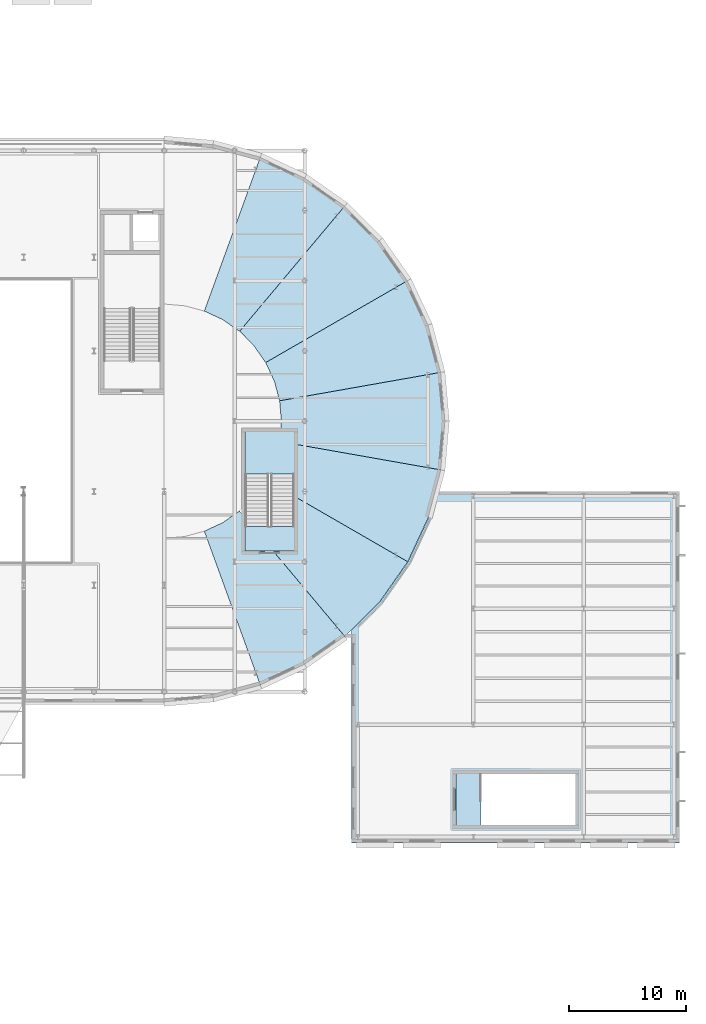
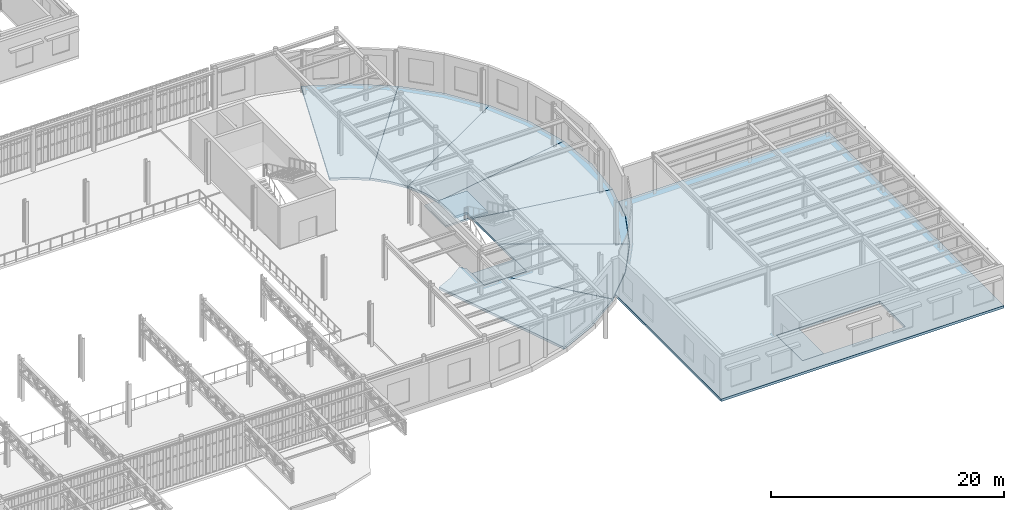
# One storey, part 60 of 91: 11 slabs, 1 element without a shape of its own.
"""IFC4 building model written with IfcOpenShell, lengths in metres."""

from ifc_helpers import new_model, si_unit, direction, frame, origin, place, context, subcontext, project, spatial, polyline, outline, extrude, material, layer, layer_set, type_object, element, aggregate, save


model = new_model("IFC4")

# Units and contexts
model_context = context("Model", 3, precision=1e-05, world=origin(), true_north=direction((0.0, 1.0)))
body_context = subcontext(model_context, "Body", "Model", "MODEL_VIEW")
ifc_project = project(units=[si_unit("LENGTHUNIT", "METRE"), si_unit("AREAUNIT", "SQUARE_METRE"), si_unit("VOLUMEUNIT", "CUBIC_METRE"), si_unit("PLANEANGLEUNIT", "RADIAN"), si_unit("MASSUNIT", "GRAM", prefix="KILO")], contexts=[model_context])

# Site, building, storey
site_placement = place(None, origin())
site = spatial("IfcSite", under=ifc_project, at=site_placement, CompositionType="ELEMENT")
building_placement = place(site_placement, origin())
building = spatial("IfcBuilding", under=site, at=building_placement, Name="Kolvaren Corner Interchange", CompositionType="ELEMENT")
storey_placement = place(building_placement, frame((0.0, 0.0, 6.0)))
storey = spatial("IfcBuildingStorey", under=building, at=storey_placement, Name="L02", CompositionType="ELEMENT", Elevation=6.0)

# Slabs
ifc_material_1 = material(Name="Concrete C35/45", Category="concrete")
ifc_layer_1 = layer(ifc_material_1, 0.25)
ifc_layer_set_1 = layer_set([ifc_layer_1], Name="Concrete C35/45")
slab_type_1 = type_object("IfcSlabType", Name="SL-COMP-250", PredefinedType="FLOOR", material=ifc_layer_set_1)
slab_1_placement = place(storey_placement, frame((0.0, 0.0, -0.25)))
element("IfcSlab", 1, at=slab_1_placement, inside=storey, type_object=slab_type_1, Name="Level 02 Racetrack East Gallery Radial Slab 02", PredefinedType="FLOOR", context=body_context, shape_type="SweptSolid", body=[
    extrude(outline(polyline([(126.890625, 39.7880859375), (126.451416015625, 40.3115234375), (126.408447265625, 40.32373046875), (125.0, 39.339599609375), (123.453369140625, 38.61865234375), (123.430419921875, 38.580078125), (128.193603515625, 25.48828125), (128.23291015625, 25.462158203125), (132.0, 27.215576171875), (135.39111328125, 29.58984375), (135.407958984375, 29.627197265625), (129.320556640625, 36.89111328125), (126.89990234375, 36.89990234375), (126.890625, 39.7880859375)])), origin(), (0.0, 0.0, 1.0), 0.25),
])
slab_2_placement = place(storey_placement, frame((0.0, 0.0, -0.25)))
element("IfcSlab", 2, at=slab_2_placement, inside=storey, type_object=slab_type_1, Name="Level 02 Racetrack East Gallery Radial Slab 03", PredefinedType="FLOOR", context=body_context, shape_type="SweptSolid", body=[
    extrude(outline(polyline([(129.31396484375, 36.89990234375), (135.427001953125, 29.614990234375), (138.385009765625, 32.572998046875), (140.78466796875, 36.0), (131.10009765625, 41.59130859375), (131.10009765625, 36.89990234375), (129.31396484375, 36.89990234375)])), origin(), (0.0, 0.0, 1.0), 0.25),
])
slab_3_placement = place(storey_placement, frame((0.0, 0.0, -0.25)))
element("IfcSlab", 3, at=slab_3_placement, inside=storey, type_object=slab_type_1, Name="Level 02 Racetrack East Gallery Radial Slab 04", PredefinedType="FLOOR", context=body_context, shape_type="SweptSolid", body=[
    extrude(outline(polyline([(143.635498046875, 43.83251953125), (131.10009765625, 46.042724609375), (131.10009765625, 41.59130859375), (140.78466796875, 36.0), (142.552490234375, 39.79150390625), (143.635498046875, 43.83251953125)])), origin(), (0.0, 0.0, 1.0), 0.25),
])
slab_4_placement = place(storey_placement, frame((0.0, 0.0, -0.25)))
element("IfcSlab", 4, at=slab_4_placement, inside=storey, type_object=slab_type_1, Name="Level 02 Racetrack East Gallery Radial Slab 05", PredefinedType="FLOOR", context=body_context, shape_type="SweptSolid", body=[
    extrude(outline(polyline([(143.635498046875, 52.16748046875), (129.84814453125, 49.736572265625), (130.0, 48.0), (129.92138671875, 47.10009765625), (131.10009765625, 47.10009765625), (131.10009765625, 46.042724609375), (143.635498046875, 43.83251953125), (144.0, 48.0), (143.635498046875, 52.16748046875)])), origin(), (0.0, 0.0, 1.0), 0.25),
])
slab_5_placement = place(storey_placement, frame((0.0, 0.0, -0.25)))
element("IfcSlab", 5, at=slab_5_placement, inside=storey, type_object=slab_type_1, Name="Level 02 Racetrack East Gallery Radial Slab 06", PredefinedType="FLOOR", context=body_context, shape_type="SweptSolid", body=[
    extrude(outline(polyline([(129.397216796875, 51.41943359375), (129.838623046875, 49.77197265625), (129.88037109375, 49.742431640625), (143.610107421875, 52.16796875), (143.6240234375, 52.209716796875), (142.552490234375, 56.20849609375), (140.799072265625, 59.967041015625), (140.746826171875, 59.978271484375), (128.688720703125, 53.01611328125), (128.67578125, 52.966796875), (129.397216796875, 51.41943359375)])), origin(), (0.0, 0.0, 1.0), 0.25),
])
slab_6_placement = place(storey_placement, frame((0.0, 0.0, -0.25)))
element("IfcSlab", 6, at=slab_6_placement, inside=storey, type_object=slab_type_1, Name="Level 02 Racetrack East Gallery Radial Slab 07", PredefinedType="FLOOR", context=body_context, shape_type="SweptSolid", body=[
    extrude(outline(polyline([(138.385009765625, 63.4267578125), (135.457763671875, 66.354248046875), (135.418212890625, 66.3642578125), (126.451416015625, 55.6884765625), (127.660400390625, 54.427978515625), (128.639404296875, 53.030029296875), (128.684814453125, 53.01513671875), (140.746826171875, 59.978271484375), (138.385009765625, 63.4267578125)])), origin(), (0.0, 0.0, 1.0), 0.25),
])
slab_7_placement = place(storey_placement, frame((0.0, 0.0, -0.25)))
element("IfcSlab", 7, at=slab_7_placement, inside=storey, type_object=slab_type_1, Name="Level 02 Racetrack East Gallery Radial Slab 08", PredefinedType="FLOOR", context=body_context, shape_type="SweptSolid", body=[
    extrude(outline(polyline([(126.451416015625, 55.6884765625), (135.407958984375, 66.372802734375), (135.39111328125, 66.41015625), (132.0, 68.784423828125), (128.23681640625, 70.53759765625), (128.193603515625, 70.51171875), (123.430908203125, 57.423583984375), (123.453369140625, 57.38134765625), (125.0, 56.660400390625), (126.397705078125, 55.681396484375), (126.451416015625, 55.6884765625)])), origin(), (0.0, 0.0, 1.0), 0.25),
])
ifc_material_2 = material(Name="Concrete C35/45", Category="concrete")
ifc_layer_2 = layer(ifc_material_2, 0.260009765625)
ifc_layer_set_2 = layer_set([ifc_layer_2], Name="Concrete C35/45")
slab_type_2 = type_object("IfcSlabType", Name="SL-COMP-260", PredefinedType="FLOOR", material=ifc_layer_set_2)
slab_8_placement = place(storey_placement, frame((0.0, 0.0, -0.260009765625)))
element("IfcSlab", 8, at=slab_8_placement, inside=storey, type_object=slab_type_2, Name="Level 02 Bus Dispatch Lounge Floor Slab", PredefinedType="FLOOR", context=body_context, shape_type="SweptSolid", body=[
    extrude(outline(polyline([(136.0, 30.159912109375), (136.0, 12.0), (164.0, 12.0), (164.0, 42.0), (143.1650390625, 42.0), (142.5712890625, 39.78466796875), (140.802001953125, 35.989990234375), (138.400390625, 32.560302734375), (136.0, 30.159912109375)]), holes=[polyline([(144.89990234375, 17.89990234375), (155.10009765625, 17.89990234375), (155.10009765625, 13.5), (144.89990234375, 13.5), (144.89990234375, 17.89990234375)])]), origin(), (0.0, 0.0, 1.0), 0.260009765625),
])
ifc_material_3 = material(Name="Concrete C35/45", Category="concrete")
ifc_layer_3 = layer(ifc_material_3, 0.199951171875)
ifc_layer_set_3 = layer_set([ifc_layer_3], Name="Concrete C35/45")
slab_type_3 = type_object("IfcSlabType", Name="SL-STAIR-LAND200", PredefinedType="LANDING", material=ifc_layer_set_3)
slab_9_placement = place(storey_placement, frame((0.0, 0.0, -0.199951171875)))
element("IfcSlab", 9, at=slab_9_placement, inside=storey, type_object=slab_type_3, Name="East Racetrack Concourse Gallery Stair L02 Floor Arrival Landing Slab", PredefinedType="LANDING", context=body_context, shape_type="SweptSolid", body=[
    extrude(outline(polyline([(131.10009765625, 36.89990234375), (131.10009765625, 39.0), (126.89990234375, 39.0), (126.89990234375, 36.89990234375), (131.10009765625, 36.89990234375)])), origin(), (0.0, 0.0, 1.0), 0.199951171875),
])

# Stair, slab
ifc_material_4 = material(Name="Concrete C35/45", Category="concrete")
stair_type = type_object("IfcStairType", Name="ST-GL-2000", PredefinedType="HALF_TURN_STAIR", material=ifc_material_4)
stair_placement = place(storey_placement, origin())
stair = element("IfcStair", 10, at=stair_placement, inside=storey, type_object=stair_type, Name="East Racetrack Concourse Gallery Stair L02 to L03 Stair", PredefinedType="HALF_TURN_STAIR")
slab_10_placement = place(storey_placement, frame((0.0, 0.0, 2.050048828125)))
slab_10 = element("IfcSlab", 11, at=slab_10_placement, type_object=slab_type_3, Name="East Racetrack Concourse Gallery Stair L02 Intermediate Half Landing Slab", PredefinedType="LANDING", context=body_context, shape_type="SweptSolid", body=[
    extrude(outline(polyline([(131.10009765625, 43.47998046875), (131.10009765625, 47.10009765625), (126.89990234375, 47.10009765625), (126.89990234375, 43.47998046875), (131.10009765625, 43.47998046875)])), origin(), (0.0, 0.0, 1.0), 0.199951171875),
])
aggregate(stair, [slab_10])

# Slab
slab_11_placement = place(storey_placement, frame((0.0, 0.0, -0.199951171875)))
element("IfcSlab", 12, at=slab_11_placement, inside=storey, type_object=slab_type_3, Name="Bus Dispatch Lounge Exit Stair L02 Floor Arrival Landing Slab", PredefinedType="LANDING", context=body_context, shape_type="SweptSolid", body=[
    extrude(outline(polyline([(144.89990234375, 13.5), (147.050048828125, 13.5), (147.050048828125, 17.89990234375), (144.89990234375, 17.89990234375), (144.89990234375, 13.5)])), origin(), (0.0, 0.0, 1.0), 0.199951171875),
])

save(model, "model.ifc")
